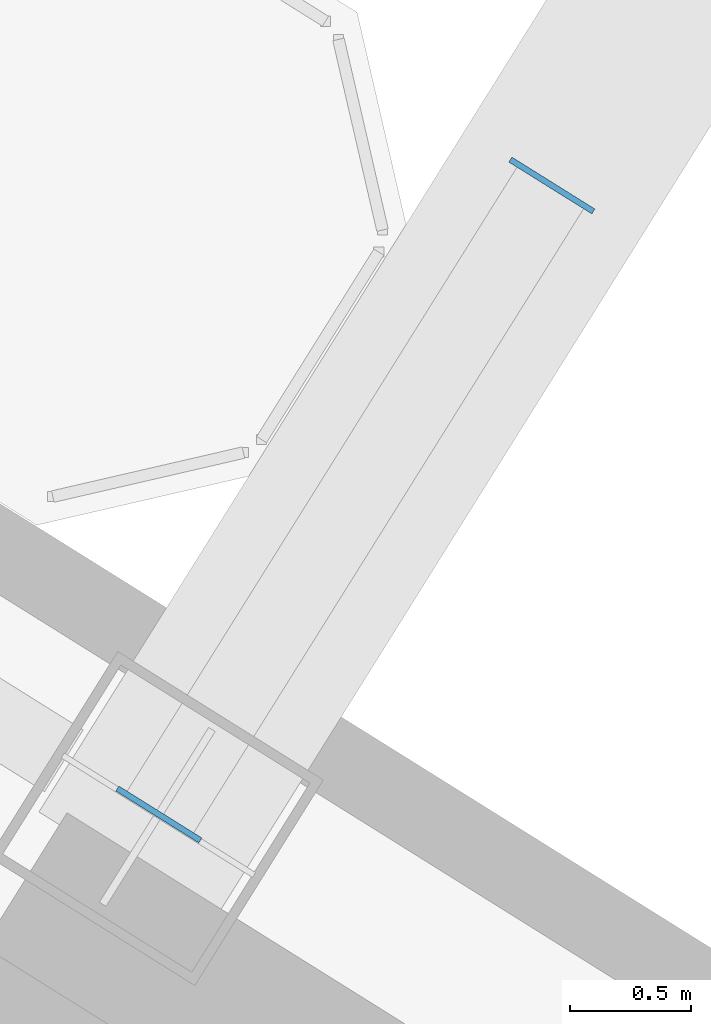
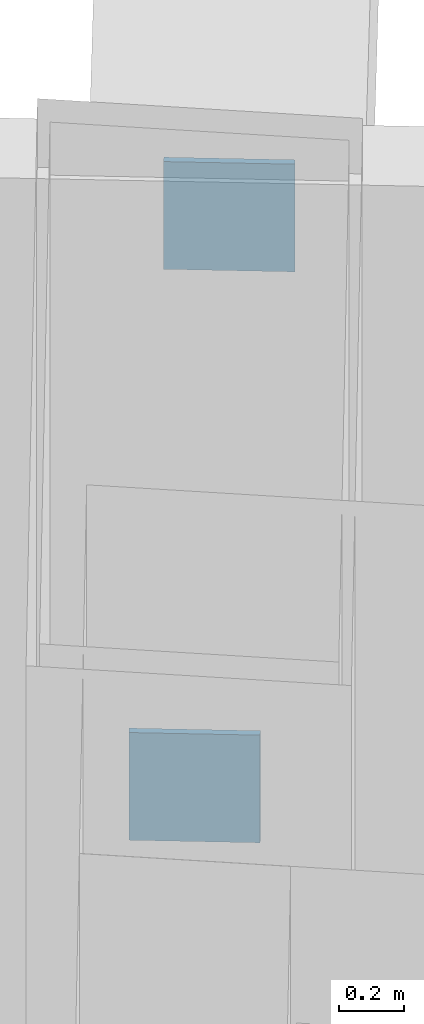
# One storey, part 17 of 30: 2 plates.
"""IFC4 building model written with IfcOpenShell, lengths in metres."""

from ifc_helpers import new_model, si_unit, direction, frame, origin, origin_2d, place, context, subcontext, project, spatial, rectangle, extrude, source, transform, mapped, material, layer, layer_set, type_object, element, save


model = new_model("IFC4")

# Units and contexts
model_context = context("Model", 3, precision=1e-05, world=origin(), true_north=direction((0.0, 1.0)))
body_context = subcontext(model_context, "Body", "Model", "MODEL_VIEW")
ifc_project = project(units=[si_unit("LENGTHUNIT", "METRE"), si_unit("AREAUNIT", "SQUARE_METRE"), si_unit("VOLUMEUNIT", "CUBIC_METRE"), si_unit("PLANEANGLEUNIT", "RADIAN"), si_unit("MASSUNIT", "GRAM", prefix="KILO")], contexts=[model_context])

# Site, building, storey
site_placement = place(None, origin())
site = spatial("IfcSite", under=ifc_project, at=site_placement, CompositionType="ELEMENT")
building_placement = place(site_placement, origin())
building = spatial("IfcBuilding", under=site, at=building_placement, Name="Tlacorven Tower", CompositionType="ELEMENT")
storey_placement = place(building_placement, frame((0.0, 0.0, 67.199951171875)))
storey = spatial("IfcBuildingStorey", under=building, at=storey_placement, Name="L17", CompositionType="ELEMENT", Elevation=67.199951171875)

# Plates
ifc_material = material(Name="Steel S460M", Category="steel")
ifc_layer = layer(ifc_material, 0.02392578125)
ifc_layer_set = layer_set([ifc_layer], Name="Steel S460M")
plate_type = type_object("IfcPlateType", Name="PL-CAP-END1", PredefinedType="USERDEFINED", material=ifc_layer_set)
shared_shape = source(origin(), body_context, "Body", "SweptSolid", [
    extrude(rectangle(XDim=0.02392578125, YDim=0.40380859375, at=origin_2d()), origin(), (0.0, 0.0, 1.0), 0.40380859375),
])
for number, where, z_axis, x_axis, name in (
    (1, (29.9384765625, 31.268310546875, 2.048095703125), (0.0, 0.0, 1.0), (0.529918714471, 0.848048439686, 0.0), "L17 hollow end cap plate SBR-L17-W3 1"),
    (2, (31.56005859375, 33.86328125, 2.048095703125), (0.0, 0.0, 1.0), (0.529918714471, 0.848048439686, 0.0), "L17 hollow end cap plate SBR-L17-W3 2"),
):
    element("IfcPlate", number, at=place(storey_placement, frame(where, z_axis=z_axis, x_axis=x_axis)), inside=storey, type_object=plate_type, Name=name, ObjectType="END PLATE", PredefinedType="USERDEFINED", context=body_context, shape_type="MappedRepresentation", body=[
        mapped(shared_shape, transform((0.0, 0.0, 0.0), scale=1.0)),
    ])

save(model, "model.ifc")
